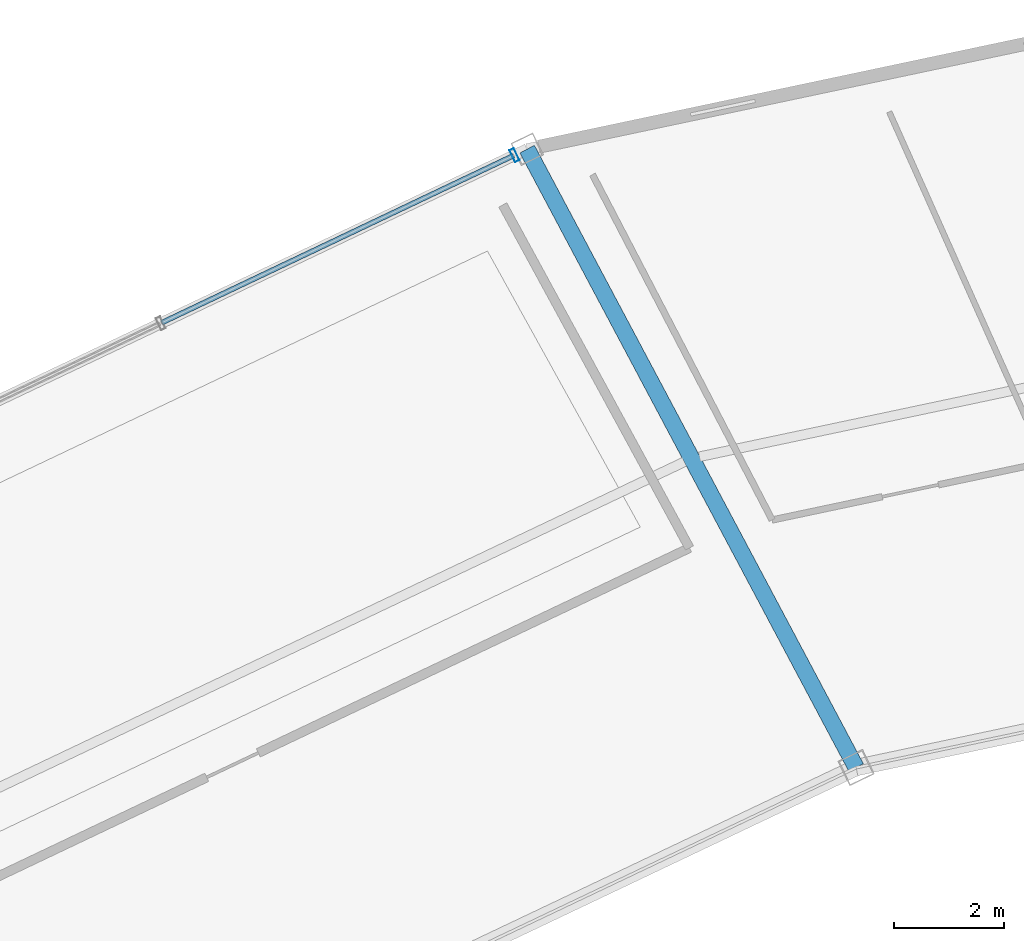
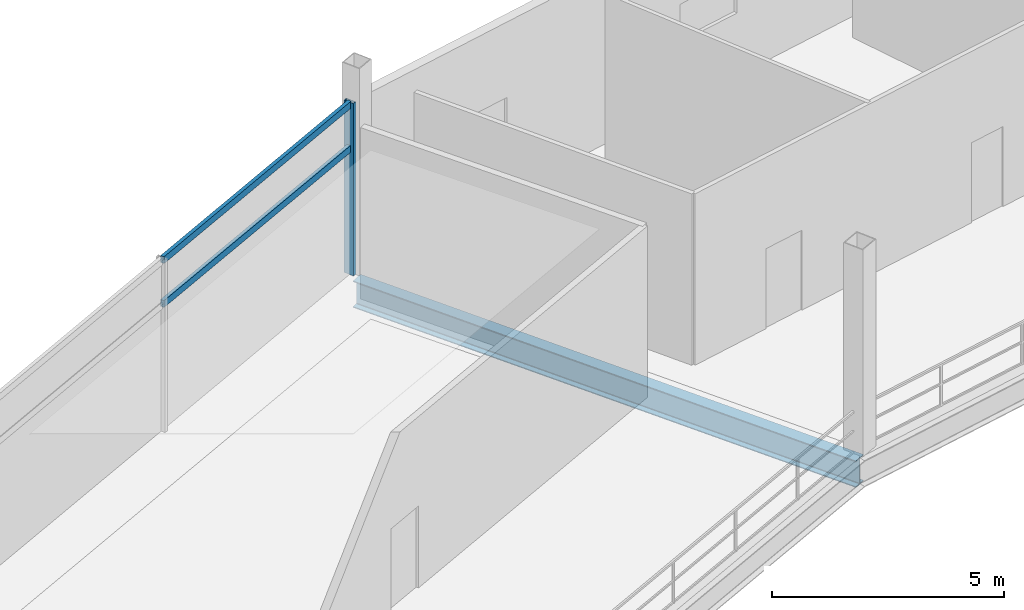
# One storey, part 54 of 103: 3 members, 1 beam, 1 element without a shape of its own.
"""IFC4 building model written with IfcOpenShell, lengths in metres."""

from ifc_helpers import new_model, si_unit, direction, frame, origin, origin_2d, place, context, subcontext, project, spatial, hollow_rectangle, i_section, extrude, material, layer, layer_set, material_profile, profile_set, type_object, element, aggregate, save


model = new_model("IFC4")

# Units and contexts
model_context = context("Model", 3, precision=1e-05, world=origin(), true_north=direction((0.0, 1.0)))
body_context = subcontext(model_context, "Body", "Model", "MODEL_VIEW")
ifc_project = project(units=[si_unit("LENGTHUNIT", "METRE"), si_unit("AREAUNIT", "SQUARE_METRE"), si_unit("VOLUMEUNIT", "CUBIC_METRE"), si_unit("PLANEANGLEUNIT", "RADIAN"), si_unit("MASSUNIT", "GRAM", prefix="KILO")], contexts=[model_context])

# Site, building, storey
site_placement = place(None, origin())
site = spatial("IfcSite", under=ifc_project, at=site_placement, CompositionType="ELEMENT")
building_placement = place(site_placement, origin())
building = spatial("IfcBuilding", under=site, at=building_placement, Name="Kazemori Nagisa Stadium", CompositionType="ELEMENT")
storey_placement = place(building_placement, frame((0.0, 0.0, 25.840087890625)))
storey = spatial("IfcBuildingStorey", under=building, at=storey_placement, Name="L05", CompositionType="ELEMENT", Elevation=25.840087890625)

# Beam
ifc_material_1 = material(Name="Steel SN490B", Category="steel")
ifc_material_profile_1 = material_profile(ifc_material_1, i_section(OverallWidth=0.300048828125, OverallDepth=0.699951171875, WebThickness=0.012939453125, FlangeThickness=0.02392578125, FilletRadius=0.01806640625, at=origin_2d()), Name="H-700x300x13x24")
ifc_profile_set_1 = profile_set([ifc_material_profile_1], Name="Steel SN490B")
beam_type = type_object("IfcBeamType", Name="Beam_BG-H700", PredefinedType="BEAM", material=ifc_profile_set_1)
beam_placement = place(storey_placement, frame((86.18798828125, 171.19921875, -0.610107421875), z_axis=(-0.469648511848, 0.882853484628, 0.0), x_axis=(-0.882853484628, -0.469648511848, 0.0)))
element("IfcBeam", 1, at=beam_placement, inside=storey, type_object=beam_type, Name="Radial girder BG-H700 L05 R2-R3-10", PredefinedType="BEAM", context=body_context, shape_type="SweptSolid", body=[
    extrude(i_section(OverallWidth=0.300048828125, OverallDepth=0.699951171875, WebThickness=0.012939453125, FlangeThickness=0.02392578125, FilletRadius=0.01806640625, at=origin_2d()), origin(), (0.0, 0.0, 1.0), 12.760009765625),
])

# Curtain wall, members
ifc_material_2 = material(Name="Anodised aluminium 6063-T5", Category="aluminium")
ifc_layer = layer(ifc_material_2, 0.239990234375, Name="Anodised aluminium 6063-T5", Category="aluminium")
ifc_layer_set = layer_set([ifc_layer], Name="Anodised aluminium 6063-T5")
curtain_wall_type = type_object("IfcCurtainWallType", Name="CW_L05R3_107", PredefinedType="USERDEFINED", material=ifc_layer_set)
curtain_wall_placement = place(storey_placement, origin())
curtain_wall = element("IfcCurtainWall", 2, at=curtain_wall_placement, inside=storey, type_object=curtain_wall_type, Name="Unitised curtain wall CW-L05R3-107 L05", ObjectType="UNITISED CURTAIN WALL", PredefinedType="USERDEFINED")
ifc_material_3 = material(Name="Aluminium 6063-T5 anodised", Category="aluminium")
ifc_material_profile_2 = material_profile(ifc_material_3, hollow_rectangle(XDim=0.090087890625, YDim=0.239990234375, WallThickness=0.0048828125, at=origin_2d()), Name="ALU-MULL-90x240x5")
ifc_profile_set_2 = profile_set([ifc_material_profile_2], Name="Aluminium 6063-T5 anodised")
member_type_1 = type_object("IfcMemberType", Name="Mullion_M03", PredefinedType="MULLION", material=ifc_profile_set_2)
member_1_placement = place(storey_placement, frame((79.96484375, 182.354736328125, 0.0), z_axis=(0.0, 0.0, 1.0), x_axis=(-0.903215892654, -0.429186499388, 0.0)))
member_1 = element("IfcMember", 3, at=member_1_placement, type_object=member_type_1, Name="Curtain wall mullion CW-L05R3-107-M1", PredefinedType="MULLION", context=body_context, shape_type="SweptSolid", body=[
    extrude(hollow_rectangle(XDim=0.090087890625, YDim=0.239990234375, WallThickness=0.0048828125, at=origin_2d()), origin(), (0.0, 0.0, 1.0), 4.530029296875),
])
ifc_material_profile_3 = material_profile(ifc_material_3, hollow_rectangle(XDim=0.090087890625, YDim=0.179931640625, WallThickness=0.0048828125, at=origin_2d()), Name="ALU-TRAN-90x180x5")
ifc_profile_set_3 = profile_set([ifc_material_profile_3], Name="Aluminium 6063-T5 anodised")
member_type_2 = type_object("IfcMemberType", Name="Transom_T03", PredefinedType="USERDEFINED", material=ifc_profile_set_3)
member_2_placement = place(storey_placement, frame((79.94677734375, 182.34619140625, 3.306884765625), z_axis=(-0.903215145866, -0.429188070989, 0.0), x_axis=(0.429188070989, -0.903215145866, 0.0)))
member_2 = element("IfcMember", 4, at=member_2_placement, type_object=member_type_2, Name="Curtain wall transom CW-L05R3-107-T1-mid", ObjectType="TRANSOM", PredefinedType="USERDEFINED", context=body_context, shape_type="SweptSolid", body=[
    extrude(hollow_rectangle(XDim=0.090087890625, YDim=0.179931640625, WallThickness=0.0048828125, at=origin_2d()), origin(), (0.0, 0.0, 1.0), 7.0947265625),
])
member_3_placement = place(storey_placement, frame((79.94677734375, 182.34619140625, 4.4599609375), z_axis=(-0.903215145866, -0.429188070989, 0.0), x_axis=(0.429188070989, -0.903215145866, 0.0)))
member_3 = element("IfcMember", 5, at=member_3_placement, type_object=member_type_2, Name="Curtain wall transom CW-L05R3-107-T1-head", ObjectType="TRANSOM", PredefinedType="USERDEFINED", context=body_context, shape_type="SweptSolid", body=[
    extrude(hollow_rectangle(XDim=0.090087890625, YDim=0.179931640625, WallThickness=0.0048828125, at=origin_2d()), origin(), (0.0, 0.0, 1.0), 7.0947265625),
])
aggregate(curtain_wall, [member_1, member_2, member_3])

save(model, "model.ifc")
